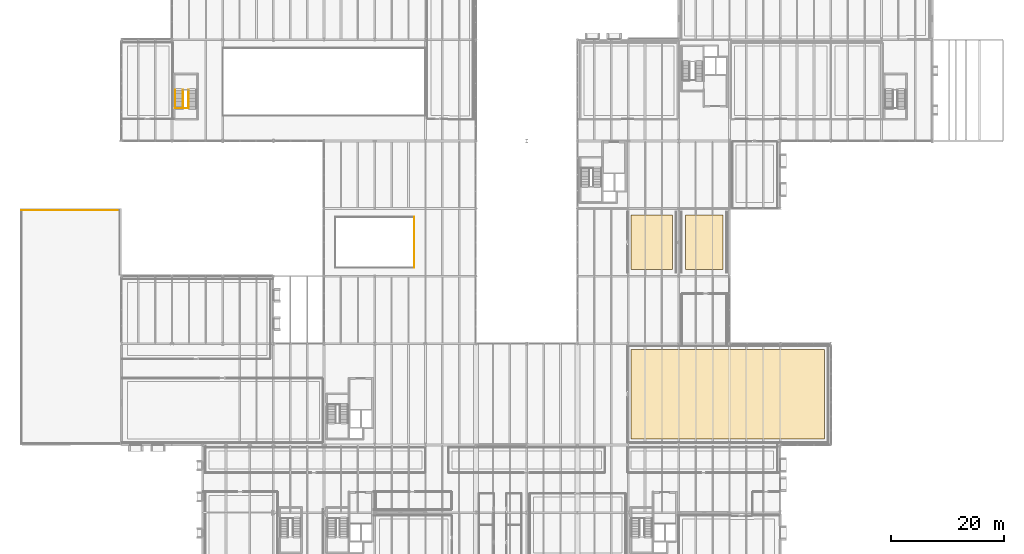
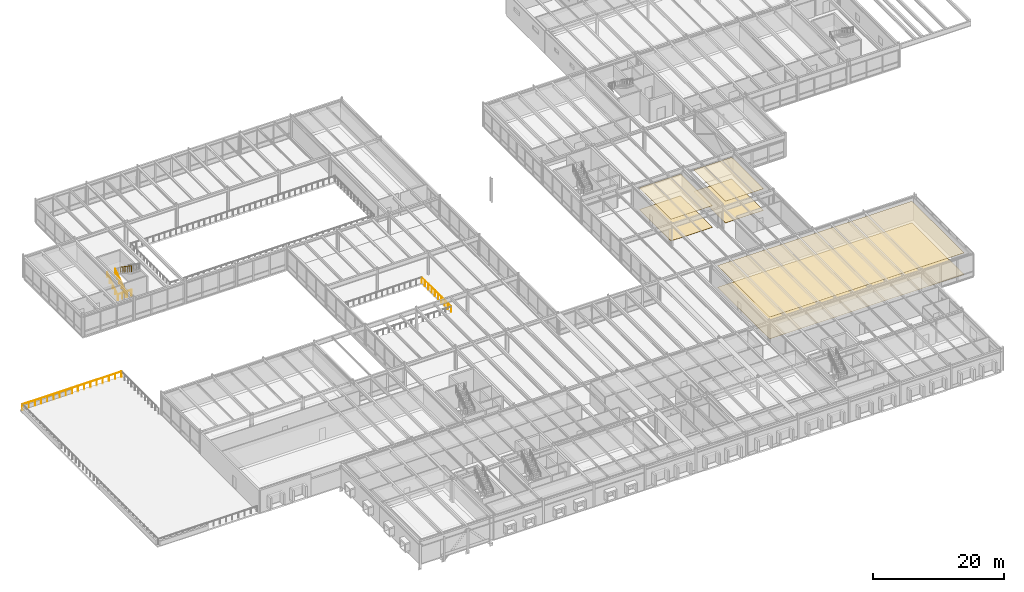
# One storey, part 123 of 127: 6 coverings, 6 railings.
"""IFC4 building model written with IfcOpenShell, lengths in metres."""

from ifc_helpers import new_model, si_unit, direction, frame, origin, origin_2d, place, context, subcontext, project, spatial, polyline, circle, outline, extrude, material, layer, layer_set, type_object, element, save


model = new_model("IFC4")

# Units and contexts
model_context = context("Model", 3, precision=1e-05, world=origin(), true_north=direction((0.0, 1.0)))
body_context = subcontext(model_context, "Body", "Model", "MODEL_VIEW")
ifc_project = project(units=[si_unit("LENGTHUNIT", "METRE"), si_unit("AREAUNIT", "SQUARE_METRE"), si_unit("VOLUMEUNIT", "CUBIC_METRE"), si_unit("PLANEANGLEUNIT", "RADIAN"), si_unit("MASSUNIT", "GRAM", prefix="KILO")], contexts=[model_context])

# Site, building, storey
site_placement = place(None, origin())
site = spatial("IfcSite", under=ifc_project, at=site_placement, CompositionType="ELEMENT")
building_placement = place(site_placement, origin())
building = spatial("IfcBuilding", under=site, at=building_placement, Name="Montelvaro Courts of Justice", CompositionType="ELEMENT")
storey_placement = place(building_placement, frame((0.0, 0.0, 5.39990234375)))
storey = spatial("IfcBuildingStorey", under=building, at=storey_placement, Name="L01", CompositionType="ELEMENT", Elevation=5.39990234375)

# Coverings
ifc_material_1 = material(Name="Perforated acoustic gypsum ceiling")
ifc_layer_1 = layer(ifc_material_1, 0.0400390625)
ifc_layer_set_1 = layer_set([ifc_layer_1], Name="Perforated acoustic gypsum ceiling")
covering_type_1 = type_object("IfcCoveringType", Name="AcousticCeiling_Court", PredefinedType="CEILING", material=ifc_layer_set_1)
covering_1_placement = place(storey_placement, frame((0.0, 0.0, 4.02001953125)))
element("IfcCovering", 1, at=covering_1_placement, inside=storey, type_object=covering_type_1, Name="Acoustic Ceiling Panel AC-01 (L01-24)", PredefinedType="CEILING", context=body_context, shape_type="SweptSolid", body=[
    extrude(outline(polyline([(142.85009765625, 40.949951171875), (142.85009765625, 25.050048828125), (108.550048828125, 25.050048828125), (108.550048828125, 40.949951171875), (142.85009765625, 40.949951171875)])), origin(), (0.0, 0.0, 1.0), 0.0400390625),
])
covering_2_placement = place(storey_placement, frame((0.0, 0.0, 4.02001953125)))
element("IfcCovering", 2, at=covering_2_placement, inside=storey, type_object=covering_type_1, Name="Acoustic Ceiling Panel AC-01 (L01-25)", PredefinedType="CEILING", context=body_context, shape_type="SweptSolid", body=[
    extrude(outline(polyline([(108.550048828125, 55.14990234375), (108.550048828125, 64.85009765625), (115.85009765625, 64.85009765625), (115.85009765625, 55.14990234375), (108.550048828125, 55.14990234375)])), origin(), (0.0, 0.0, 1.0), 0.0400390625),
])
covering_3_placement = place(storey_placement, frame((0.0, 0.0, 4.02001953125)))
element("IfcCovering", 3, at=covering_3_placement, inside=storey, type_object=covering_type_1, Name="Acoustic Ceiling Panel AC-01 (L01-27)", PredefinedType="CEILING", context=body_context, shape_type="SweptSolid", body=[
    extrude(outline(polyline([(118.14990234375, 64.85009765625), (124.85009765625, 64.85009765625), (124.85009765625, 55.14990234375), (118.14990234375, 55.14990234375), (118.14990234375, 64.85009765625)])), origin(), (0.0, 0.0, 1.0), 0.0400390625),
])

# Railings
ifc_material_2 = material(Name="Steel S355", Category="steel")
railing_type_1 = type_object("IfcRailingType", Name="InteriorGuard_1100", PredefinedType="BALUSTRADE", material=ifc_material_2)
railing_1_placement = place(storey_placement, frame((27.5, 83.800048828125, 0.0)))
element("IfcRailing", 4, at=railing_1_placement, inside=storey, type_object=railing_type_1, Name="Stair Well Guard GR-02 ST-P1-L00-TLG", PredefinedType="BALUSTRADE", context=body_context, shape_type="SweptSolid", body=[
    extrude(circle(Radius=0.02392578125, at=origin_2d()), frame((0.0, 0.0, 1.076171875), z_axis=(1.0, 0.0, 0.0), x_axis=(0.0, 1.0, 0.0)), (0.0, 0.0, 1.0), 2.43994140625),
    extrude(circle(Radius=0.02099609375, at=origin_2d()), origin(), (0.0, 0.0, 1.0), 1.052001953125),
    extrude(circle(Radius=0.02099609375, at=origin_2d()), frame((0.813232421875, 0.0, 0.0)), (0.0, 0.0, 1.0), 1.052001953125),
    extrude(circle(Radius=0.02099609375, at=origin_2d()), frame((1.626708984375, 0.0, 0.0)), (0.0, 0.0, 1.0), 1.052001953125),
    extrude(circle(Radius=0.02099609375, at=origin_2d()), frame((2.43994140625, 0.0, 0.0)), (0.0, 0.0, 1.0), 1.052001953125),
])
railing_2_placement = place(storey_placement, frame((28.9599609375, 83.800048828125, 0.0)))
element("IfcRailing", 5, at=railing_2_placement, inside=storey, type_object=railing_type_1, Name="Stair Well Guard GR-02 ST-P1-L01-F1G", PredefinedType="BALUSTRADE", context=body_context, shape_type="SweptSolid", body=[
    extrude(circle(Radius=0.02392578125, at=origin_2d()), frame((0.0, 0.0, 1.076171875), z_axis=(0.0, 0.823407228882, 0.567450910146), x_axis=(-1.0, 0.0, 0.0)), (0.0, 0.0, 1.0), 3.965087890625),
    extrude(circle(Radius=0.02099609375, at=origin_2d()), origin(), (0.0, 0.0, 1.0), 1.052001953125),
    extrude(circle(Radius=0.02099609375, at=origin_2d()), frame((0.0, 0.653076171875, 0.449951171875)), (0.0, 0.0, 1.0), 1.052001953125),
    extrude(circle(Radius=0.02099609375, at=origin_2d()), frame((0.0, 1.305908203125, 0.89990234375)), (0.0, 0.0, 1.0), 1.052001953125),
    extrude(circle(Radius=0.02099609375, at=origin_2d()), frame((0.0, 1.958984375, 1.35009765625)), (0.0, 0.0, 1.0), 1.052001953125),
    extrude(circle(Radius=0.02099609375, at=origin_2d()), frame((0.0, 2.61181640625, 1.800048828125)), (0.0, 0.0, 1.0), 1.052001953125),
    extrude(circle(Radius=0.02099609375, at=origin_2d()), frame((0.0, 3.264892578125, 2.25)), (0.0, 0.0, 1.0), 1.052001953125),
])
railing_3_placement = place(storey_placement, frame((29.93994140625, 87.06494140625, 2.25)))
element("IfcRailing", 6, at=railing_3_placement, inside=storey, type_object=railing_type_1, Name="Stair Well Guard GR-02 ST-P1-L01-F2G", PredefinedType="BALUSTRADE", context=body_context, shape_type="SweptSolid", body=[
    extrude(circle(Radius=0.02392578125, at=origin_2d()), frame((0.0, 0.0, 1.076171875), z_axis=(0.0, -0.823407228882, 0.567450910146), x_axis=(1.0, 0.0, 0.0)), (0.0, 0.0, 1.0), 3.965087890625),
    extrude(circle(Radius=0.02099609375, at=origin_2d()), origin(), (0.0, 0.0, 1.0), 1.052001953125),
    extrude(circle(Radius=0.02099609375, at=origin_2d()), frame((0.0, -0.653076171875, 0.449951171875)), (0.0, 0.0, 1.0), 1.052001953125),
    extrude(circle(Radius=0.02099609375, at=origin_2d()), frame((0.0, -1.305908203125, 0.89990234375)), (0.0, 0.0, 1.0), 1.052001953125),
    extrude(circle(Radius=0.02099609375, at=origin_2d()), frame((0.0, -1.958984375, 1.35009765625)), (0.0, 0.0, 1.0), 1.052001953125),
    extrude(circle(Radius=0.02099609375, at=origin_2d()), frame((0.0, -2.61181640625, 1.800048828125)), (0.0, 0.0, 1.0), 1.052001953125),
    extrude(circle(Radius=0.02099609375, at=origin_2d()), frame((0.0, -3.264892578125, 2.25)), (0.0, 0.0, 1.0), 1.052001953125),
])
railing_4_placement = place(storey_placement, frame((70.0, 55.5, 0.0)))
element("IfcRailing", 7, at=railing_4_placement, inside=storey, type_object=railing_type_1, Name="Atrium Void Balustrade GR-02 (L01)", PredefinedType="BALUSTRADE", context=body_context, shape_type="SweptSolid", body=[
    extrude(circle(Radius=0.02392578125, at=origin_2d()), frame((0.0, 0.0, 1.076171875), z_axis=(0.0, 1.0, 0.0), x_axis=(-1.0, 0.0, 0.0)), (0.0, 0.0, 1.0), 9.0),
    extrude(circle(Radius=0.02099609375, at=origin_2d()), origin(), (0.0, 0.0, 1.0), 1.052001953125),
    extrude(circle(Radius=0.02099609375, at=origin_2d()), frame((0.0, 1.0, 0.0)), (0.0, 0.0, 1.0), 1.052001953125),
    extrude(circle(Radius=0.02099609375, at=origin_2d()), frame((0.0, 2.0, 0.0)), (0.0, 0.0, 1.0), 1.052001953125),
    extrude(circle(Radius=0.02099609375, at=origin_2d()), frame((0.0, 3.0, 0.0)), (0.0, 0.0, 1.0), 1.052001953125),
    extrude(circle(Radius=0.02099609375, at=origin_2d()), frame((0.0, 4.0, 0.0)), (0.0, 0.0, 1.0), 1.052001953125),
    extrude(circle(Radius=0.02099609375, at=origin_2d()), frame((0.0, 5.0, 0.0)), (0.0, 0.0, 1.0), 1.052001953125),
    extrude(circle(Radius=0.02099609375, at=origin_2d()), frame((0.0, 6.0, 0.0)), (0.0, 0.0, 1.0), 1.052001953125),
    extrude(circle(Radius=0.02099609375, at=origin_2d()), frame((0.0, 7.0, 0.0)), (0.0, 0.0, 1.0), 1.052001953125),
    extrude(circle(Radius=0.02099609375, at=origin_2d()), frame((0.0, 8.0, 0.0)), (0.0, 0.0, 1.0), 1.052001953125),
    extrude(circle(Radius=0.02099609375, at=origin_2d()), frame((0.0, 9.0, 0.0)), (0.0, 0.0, 1.0), 1.052001953125),
])

# Coverings
ifc_material_3 = material(Name="Alicante limestone judicial flooring", Category="masonry")
ifc_layer_2 = layer(ifc_material_3, 0.030029296875)
ifc_layer_set_2 = layer_set([ifc_layer_2], Name="Alicante limestone judicial flooring")
covering_type_2 = type_object("IfcCoveringType", Name="JudicialStoneFlooring", PredefinedType="FLOORING", material=ifc_layer_set_2)
covering_4_placement = place(storey_placement, origin())
element("IfcCovering", 8, at=covering_4_placement, inside=storey, type_object=covering_type_2, Name="Judicial Stone Flooring FLR-01 (L01-24)", PredefinedType="FLOORING", context=body_context, shape_type="SweptSolid", body=[
    extrude(outline(polyline([(142.85009765625, 40.949951171875), (142.85009765625, 25.050048828125), (108.550048828125, 25.050048828125), (108.550048828125, 40.949951171875), (142.85009765625, 40.949951171875)])), origin(), (0.0, 0.0, 1.0), 0.030029296875),
])
covering_5_placement = place(storey_placement, origin())
element("IfcCovering", 9, at=covering_5_placement, inside=storey, type_object=covering_type_2, Name="Judicial Stone Flooring FLR-01 (L01-25)", PredefinedType="FLOORING", context=body_context, shape_type="SweptSolid", body=[
    extrude(outline(polyline([(108.550048828125, 55.14990234375), (108.550048828125, 64.85009765625), (115.85009765625, 64.85009765625), (115.85009765625, 55.14990234375), (108.550048828125, 55.14990234375)])), origin(), (0.0, 0.0, 1.0), 0.030029296875),
])
covering_6_placement = place(storey_placement, origin())
element("IfcCovering", 10, at=covering_6_placement, inside=storey, type_object=covering_type_2, Name="Judicial Stone Flooring FLR-01 (L01-27)", PredefinedType="FLOORING", context=body_context, shape_type="SweptSolid", body=[
    extrude(outline(polyline([(118.14990234375, 64.85009765625), (124.85009765625, 64.85009765625), (124.85009765625, 55.14990234375), (118.14990234375, 55.14990234375), (118.14990234375, 64.85009765625)])), origin(), (0.0, 0.0, 1.0), 0.030029296875),
])

# Railings
ifc_material_4 = material(Name="Austenitic stainless steel EN 1.4401", Category="steel")
railing_type_2 = type_object("IfcRailingType", Name="StairHandrail_950", PredefinedType="HANDRAIL", material=ifc_material_4)
railing_5_placement = place(storey_placement, frame((27.56005859375, 83.800048828125, 0.0)))
element("IfcRailing", 11, at=railing_5_placement, inside=storey, type_object=railing_type_2, Name="Stair Pitch Handrail HR-01 ST-P1-L01-F1H", PredefinedType="HANDRAIL", context=body_context, shape_type="SweptSolid", body=[
    extrude(circle(Radius=0.02392578125, at=origin_2d()), frame((0.0, 0.0, 0.92578125), z_axis=(0.0, 0.823407228882, 0.567450910146), x_axis=(-1.0, 0.0, 0.0)), (0.0, 0.0, 1.0), 3.965087890625),
    extrude(circle(Radius=0.02099609375, at=origin_2d()), origin(), (0.0, 0.0, 1.0), 0.90185546875),
    extrude(circle(Radius=0.02099609375, at=origin_2d()), frame((0.0, 0.816162109375, 0.5625)), (0.0, 0.0, 1.0), 0.90185546875),
    extrude(circle(Radius=0.02099609375, at=origin_2d()), frame((0.0, 1.63232421875, 1.125)), (0.0, 0.0, 1.0), 0.90185546875),
    extrude(circle(Radius=0.02099609375, at=origin_2d()), frame((0.0, 2.44873046875, 1.6875)), (0.0, 0.0, 1.0), 0.90185546875),
    extrude(circle(Radius=0.02099609375, at=origin_2d()), frame((0.0, 3.264892578125, 2.25)), (0.0, 0.0, 1.0), 0.90185546875),
])
railing_type_3 = type_object("IfcRailingType", Name="TerraceGuard_1100", PredefinedType="BALUSTRADE", material=ifc_material_2)
railing_6_placement = place(storey_placement, frame((0.280029296875, 65.719970703125, 0.0)))
element("IfcRailing", 12, at=railing_6_placement, inside=storey, type_object=railing_type_3, Name="Terrace Balustrade Guard GR-01 (L01)", PredefinedType="BALUSTRADE", context=body_context, shape_type="SweptSolid", body=[
    extrude(circle(Radius=0.02392578125, at=origin_2d()), frame((0.0, 0.0, 1.076171875), z_axis=(1.0, 0.0, 0.0), x_axis=(0.0, 1.0, 0.0)), (0.0, 0.0, 1.0), 17.43994140625),
    extrude(circle(Radius=0.02099609375, at=origin_2d()), origin(), (0.0, 0.0, 1.0), 1.052001953125),
    extrude(circle(Radius=0.02099609375, at=origin_2d()), frame((1.090087890625, 0.0, 0.0)), (0.0, 0.0, 1.0), 1.052001953125),
    extrude(circle(Radius=0.02099609375, at=origin_2d()), frame((2.179931640625, 0.0, 0.0)), (0.0, 0.0, 1.0), 1.052001953125),
    extrude(circle(Radius=0.02099609375, at=origin_2d()), frame((3.27001953125, 0.0, 0.0)), (0.0, 0.0, 1.0), 1.052001953125),
    extrude(circle(Radius=0.02099609375, at=origin_2d()), frame((4.35986328125, 0.0, 0.0)), (0.0, 0.0, 1.0), 1.052001953125),
    extrude(circle(Radius=0.02099609375, at=origin_2d()), frame((5.449951171875, 0.0, 0.0)), (0.0, 0.0, 1.0), 1.052001953125),
    extrude(circle(Radius=0.02099609375, at=origin_2d()), frame((6.5400390625, 0.0, 0.0)), (0.0, 0.0, 1.0), 1.052001953125),
    extrude(circle(Radius=0.02099609375, at=origin_2d()), frame((7.6298828125, 0.0, 0.0)), (0.0, 0.0, 1.0), 1.052001953125),
    extrude(circle(Radius=0.02099609375, at=origin_2d()), frame((8.719970703125, 0.0, 0.0)), (0.0, 0.0, 1.0), 1.052001953125),
    extrude(circle(Radius=0.02099609375, at=origin_2d()), frame((9.81005859375, 0.0, 0.0)), (0.0, 0.0, 1.0), 1.052001953125),
    extrude(circle(Radius=0.02099609375, at=origin_2d()), frame((10.89990234375, 0.0, 0.0)), (0.0, 0.0, 1.0), 1.052001953125),
    extrude(circle(Radius=0.02099609375, at=origin_2d()), frame((11.989990234375, 0.0, 0.0)), (0.0, 0.0, 1.0), 1.052001953125),
    extrude(circle(Radius=0.02099609375, at=origin_2d()), frame((13.080078125, 0.0, 0.0)), (0.0, 0.0, 1.0), 1.052001953125),
    extrude(circle(Radius=0.02099609375, at=origin_2d()), frame((14.169921875, 0.0, 0.0)), (0.0, 0.0, 1.0), 1.052001953125),
    extrude(circle(Radius=0.02099609375, at=origin_2d()), frame((15.260009765625, 0.0, 0.0)), (0.0, 0.0, 1.0), 1.052001953125),
    extrude(circle(Radius=0.02099609375, at=origin_2d()), frame((16.349853515625, 0.0, 0.0)), (0.0, 0.0, 1.0), 1.052001953125),
    extrude(circle(Radius=0.02099609375, at=origin_2d()), frame((17.43994140625, 0.0, 0.0)), (0.0, 0.0, 1.0), 1.052001953125),
])

save(model, "model.ifc")
